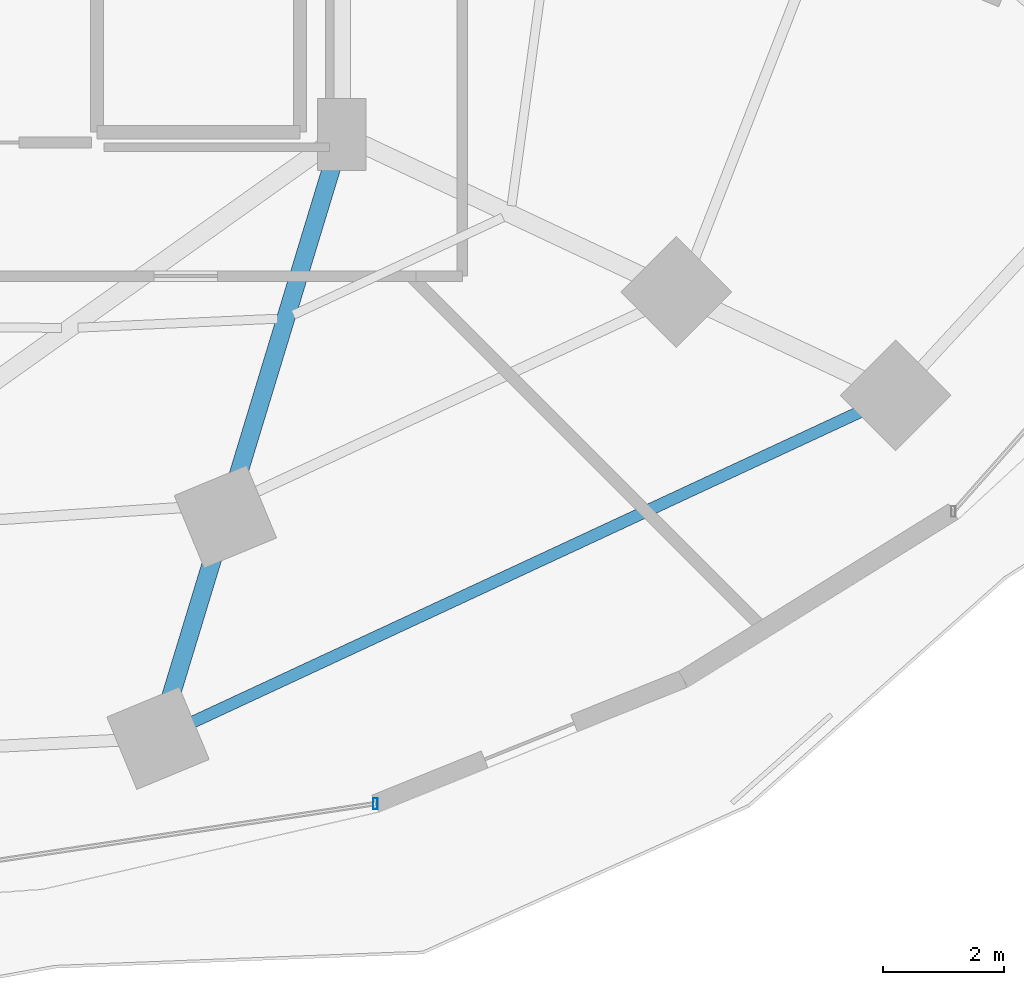
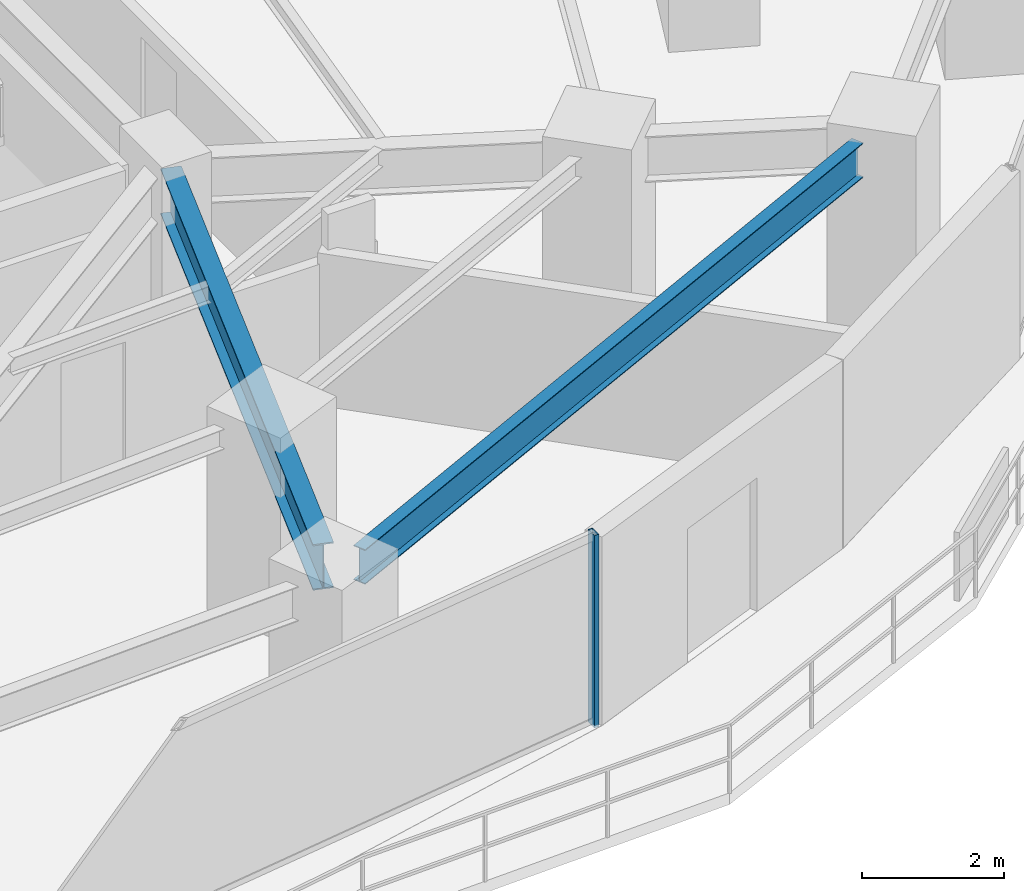
# One storey, part 12 of 34: 2 beams, 1 member, 1 element without a shape of its own.
"""IFC4 building model written with IfcOpenShell, lengths in metres."""

import ifcopenshell
import ifcopenshell.guid

model = None  # the IFC model being written
_history = None  # IfcOwnerHistory: only IFC2X3 demands one
_inside = {}  # id of a spatial element -> (the spatial element, [elements in it])
_under = {}  # id of a project, library or spatial element -> (it, [spatial elements below it])
_declared = {}  # id of a project -> (the project, [libraries it declares])
_typed = {}  # id of a type object -> (the type object, [elements of that type])
_made_of = {}  # id of a material, layer set ... -> (it, [elements and type objects made of it])


def new_model(schema):
    """Start an empty IFC model of exactly this schema.

    Asked for "IFC4X3", IfcOpenShell would pick the latest addendum, in which some entities
    have other attributes; the version numbers below select the first issue.
    IFC2X3 requires an IfcOwnerHistory on every rooted entity: one is made here for all.
    """
    global model, _history
    if schema == "IFC4X3":
        model = ifcopenshell.file(schema_version=(4, 3, 0, 0))
    else:
        model = ifcopenshell.file(schema=schema)
    _inside.clear()
    _under.clear()
    _declared.clear()
    _typed.clear()
    _made_of.clear()
    _history = None
    if model.schema == "IFC2X3":
        org = make("IfcOrganization", Name="unknown")
        user = make(
            "IfcPersonAndOrganization",
            ThePerson=make("IfcPerson", FamilyName="unknown"),
            TheOrganization=org,
        )
        app = make(
            "IfcApplication",
            ApplicationDeveloper=org,
            Version="unknown",
            ApplicationFullName="unknown",
            ApplicationIdentifier="unknown",
        )
        _history = make(
            "IfcOwnerHistory",
            OwningUser=user,
            OwningApplication=app,
            ChangeAction="ADDED",
            CreationDate=0,
        )
    return model


def make(cls, **values):
    """One entity of the class cls with the attributes given. An attribute that is None is left unset."""
    return model.create_entity(
        cls, **{name: value for name, value in values.items() if value is not None}
    )


def rooted(cls, **values):
    """An entity with a GlobalId (a new one), such as an element, a storey or a relation."""
    return make(cls, GlobalId=ifcopenshell.guid.new(), OwnerHistory=_history, **values)


def si_unit(unit_type, name, prefix=None):
    """IfcSIUnit, for example si_unit("LENGTHUNIT", "METRE", prefix="MILLI")."""
    return make("IfcSIUnit", UnitType=unit_type, Prefix=prefix, Name=name)


def assignment(units):
    """IfcUnitAssignment: the units of a project."""
    return None if units is None else make("IfcUnitAssignment", Units=units)


def point(xyz):
    """IfcCartesianPoint."""
    return None if xyz is None else make("IfcCartesianPoint", Coordinates=xyz)


def direction(xyz):
    """IfcDirection."""
    return None if xyz is None else make("IfcDirection", DirectionRatios=xyz)


def frame(location, z_axis=None, x_axis=None):
    """IfcAxis2Placement3D, a coordinate frame: its origin and axes. An axis left out is left unset."""
    return make(
        "IfcAxis2Placement3D",
        Location=point(location),
        Axis=direction(z_axis),
        RefDirection=direction(x_axis),
    )


def frame_2d(location, x_axis=None):
    """IfcAxis2Placement2D, a coordinate frame in the plane: its origin and x axis."""
    return make(
        "IfcAxis2Placement2D", Location=point(location), RefDirection=direction(x_axis)
    )


def origin():
    """The frame at (0, 0, 0) with its axes left unset."""
    return frame((0.0, 0.0, 0.0))


def origin_2d():
    """The frame at (0, 0) in the plane with its x axis left unset."""
    return frame_2d((0.0, 0.0))


def place(relative_to, where):
    """IfcLocalPlacement: puts the frame where relative to a parent placement (None: the world)."""
    return make(
        "IfcLocalPlacement", PlacementRelTo=relative_to, RelativePlacement=where
    )


def context(
    kind, dimensions, precision=None, world=None, true_north=None, identifier=None
):
    """IfcGeometricRepresentationContext, for example the 3D "Model" context."""
    return make(
        "IfcGeometricRepresentationContext",
        ContextIdentifier=identifier,
        ContextType=kind,
        CoordinateSpaceDimension=dimensions,
        Precision=precision,
        WorldCoordinateSystem=world,
        TrueNorth=true_north,
    )


def subcontext(parent, identifier, kind, view, scale=None):
    """IfcGeometricRepresentationSubContext, for example "Body" below "Model"."""
    return make(
        "IfcGeometricRepresentationSubContext",
        ContextIdentifier=identifier,
        ContextType=kind,
        ParentContext=parent,
        TargetScale=scale,
        TargetView=view,
    )


def project(units=None, contexts=None):
    """IfcProject with its units and contexts."""
    return rooted(
        "IfcProject",
        Name="project",
        RepresentationContexts=contexts,
        UnitsInContext=assignment(units),
    )


def spatial(cls, under=None, at=None, **own):
    """A site, building, storey or space (cls), placed at a placement, below another one or the project."""
    s = rooted(cls, ObjectPlacement=at, **own)
    if under is not None:
        _under.setdefault(under.id(), (under, []))[1].append(s)
    return s


def profile(cls, at=None, kind="AREA", **sizes):
    """A parametric profile (cls). Its sizes go by their IFC names, for example OverallWidth=200.0."""
    return make(cls, ProfileType=kind, Position=at, **sizes)


def hollow_rectangle(**sizes):
    """IfcRectangleHollowProfileDef."""
    return profile("IfcRectangleHollowProfileDef", **sizes)


def i_section(**sizes):
    """IfcIShapeProfileDef."""
    return profile("IfcIShapeProfileDef", **sizes)


def extrude(swept, where, along, depth):
    """IfcExtrudedAreaSolid: the profile swept, set in the frame where, extruded along a direction by depth."""
    return make(
        "IfcExtrudedAreaSolid",
        SweptArea=swept,
        Position=where,
        ExtrudedDirection=direction(along),
        Depth=depth,
    )


def shape(context_of_items, identifier, shape_type, items):
    """IfcShapeRepresentation: the items that make up one representation, for example the "Body"."""
    return make(
        "IfcShapeRepresentation",
        ContextOfItems=context_of_items,
        RepresentationIdentifier=identifier,
        RepresentationType=shape_type,
        Items=items,
    )


def material(Name=None, Category=None):
    """IfcMaterial."""
    return make("IfcMaterial", Name=Name, Category=Category)


def material_profile(
    of_material, cross_section, Name=None, Category=None, Priority=None
):
    """IfcMaterialProfile: a cross section and its material."""
    return make(
        "IfcMaterialProfile",
        Name=Name,
        Material=of_material,
        Profile=cross_section,
        Priority=Priority,
        Category=Category,
    )


def profile_set(profiles, Name=None, composite=None):
    """IfcMaterialProfileSet."""
    return make(
        "IfcMaterialProfileSet",
        Name=Name,
        MaterialProfiles=profiles,
        CompositeProfile=composite,
    )


def made_of(thing, what):
    """Note that an element or type object is made of a material, layer set ...; save() writes the relation."""
    if what is not None:
        _made_of.setdefault(what.id(), (what, []))[1].append(thing)
    return thing


def type_object(cls, material=None, **own):
    """A type object (cls), such as IfcWallType, which elements share."""
    return made_of(rooted(cls, **own), material)


def element(
    cls,
    number,
    at=None,
    inside=None,
    cuts=None,
    type_object=None,
    material=None,
    context=None,
    identifier="Body",
    shape_type=None,
    held_by="IfcProductDefinitionShape",
    body=None,
    shapes=None,
    **own,
):
    """One element of the class cls, such as IfcWall. Its Tag is "e" and its number.

    at: its placement. inside: the storey or other place that contains it. cuts: it is an
    opening in that element (IfcRelVoidsElement). A single representation is given by context,
    identifier, shape_type and body (its items); several are given by shapes. held_by: the class
    of the entity that holds the representations. save() writes the other relations.
    """
    e = rooted(cls, Tag="e%d" % number, ObjectPlacement=at, **own)
    if body is not None:
        shapes = [shape(context, identifier, shape_type, body)]
    if shapes is not None:
        e.Representation = make(held_by, Representations=shapes)
    if inside is not None:
        _inside.setdefault(inside.id(), (inside, []))[1].append(e)
    if cuts is not None:
        rooted(
            "IfcRelVoidsElement", RelatingBuildingElement=cuts, RelatedOpeningElement=e
        )
    if type_object is not None:
        _typed.setdefault(type_object.id(), (type_object, []))[1].append(e)
    return made_of(e, material)


def aggregate(whole, parts):
    """IfcRelAggregates: a whole, such as a stair, and the parts it consists of."""
    return rooted("IfcRelAggregates", RelatingObject=whole, RelatedObjects=parts)


def save(model, path):
    """Write the relations noted so far, then the file.

    IfcRelAggregates (storeys below a building ...), IfcRelContainedInSpatialStructure (elements
    in a storey), IfcRelDefinesByType, IfcRelAssociatesMaterial and IfcRelDeclares: one each for
    every whole, place, type object, material and project.
    """
    for whole, parts in _under.values():
        aggregate(whole, parts)
    for where, things in _inside.values():
        rooted(
            "IfcRelContainedInSpatialStructure",
            RelatedElements=things,
            RelatingStructure=where,
        )
    for kind, things in _typed.values():
        rooted("IfcRelDefinesByType", RelatedObjects=things, RelatingType=kind)
    for what, things in _made_of.values():
        rooted("IfcRelAssociatesMaterial", RelatedObjects=things, RelatingMaterial=what)
    for by, libraries in _declared.values():
        rooted("IfcRelDeclares", RelatingContext=by, RelatedDefinitions=libraries)
    model.write(path)


model = new_model("IFC4")

# Units and contexts
model_context = context("Model", 3, precision=1e-05, world=origin(), true_north=direction((0.0, 1.0)))
body_context = subcontext(model_context, "Body", "Model", "MODEL_VIEW")
ifc_project = project(units=[si_unit("LENGTHUNIT", "METRE"), si_unit("AREAUNIT", "SQUARE_METRE"), si_unit("VOLUMEUNIT", "CUBIC_METRE"), si_unit("PLANEANGLEUNIT", "RADIAN"), si_unit("MASSUNIT", "GRAM", prefix="KILO")], contexts=[model_context])

# Site, building, storey
site_placement = place(None, origin())
site = spatial("IfcSite", under=ifc_project, at=site_placement, CompositionType="ELEMENT")
building_placement = place(site_placement, origin())
building = spatial("IfcBuilding", under=site, at=building_placement, Name="Vorneva Point Tower", CompositionType="ELEMENT")
storey_placement = place(building_placement, frame((0.0, 0.0, 27.5)))
storey = spatial("IfcBuildingStorey", under=building, at=storey_placement, Name="L06", CompositionType="ELEMENT", Elevation=27.5)

# Beams
ifc_material_1 = material(Name="Steel S355", Category="steel")
ifc_material_profile_1 = material_profile(ifc_material_1, i_section(OverallWidth=0.300048828125, OverallDepth=0.7880859375, WebThickness=0.014404296875, FlangeThickness=0.02197265625, at=origin_2d()), Name="80Sh1")
ifc_profile_set_1 = profile_set([ifc_material_profile_1], Name="Steel S355")
beam_type_1 = type_object("IfcBeamType", Name="BM-GRD-80Sh1", PredefinedType="USERDEFINED", material=ifc_profile_set_1)
beam_1_placement = place(storey_placement, frame((45.888916015625, 7.045654296875, 2.845947265625), z_axis=(0.29104183924, 0.956710325967, 0.0), x_axis=(-0.956710325967, 0.29104183924, 0.0)))
element("IfcBeam", 1, at=beam_1_placement, inside=storey, type_object=beam_type_1, Name="L06 Radial Primary Girder 14", ObjectType="GIRDER", PredefinedType="USERDEFINED", context=body_context, shape_type="SweptSolid", body=[
    extrude(i_section(OverallWidth=0.300048828125, OverallDepth=0.7880859375, WebThickness=0.014404296875, FlangeThickness=0.02197265625, at=origin_2d()), origin(), (0.0, 0.0, 1.0), 9.489990234375),
])
ifc_material_profile_2 = material_profile(ifc_material_1, i_section(OverallWidth=0.198974609375, OverallDepth=0.595947265625, WebThickness=0.010009765625, FlangeThickness=0.014892578125, at=origin_2d()), Name="60B1")
ifc_profile_set_2 = profile_set([ifc_material_profile_2], Name="Steel S355")
beam_type_2 = type_object("IfcBeamType", Name="BM-SPN-60B1", PredefinedType="SPANDREL", material=ifc_profile_set_2)
beam_2_placement = place(storey_placement, frame((46.27880859375, 6.702880859375, 2.94189453125), z_axis=(0.906776698196, 0.421611218551, 0.0), x_axis=(-0.421611218551, 0.906776698196, 0.0)))
element("IfcBeam", 2, at=beam_2_placement, inside=storey, type_object=beam_type_2, Name="L06 Perimeter Spandrel Ring Beam 14", PredefinedType="SPANDREL", context=body_context, shape_type="SweptSolid", body=[
    extrude(i_section(OverallWidth=0.198974609375, OverallDepth=0.595947265625, WebThickness=0.010009765625, FlangeThickness=0.014892578125, at=origin_2d()), origin(), (0.0, 0.0, 1.0), 12.223388671875),
])

# Curtain wall, member
ifc_material_2 = material(Name="Pale anodised aluminium", Category="aluminium")
curtain_wall_type = type_object("IfcCurtainWallType", Name="CW-HTL-SYS", PredefinedType="NOTDEFINED", material=ifc_material_2)
curtain_wall_placement = place(storey_placement, origin())
curtain_wall = element("IfcCurtainWall", 3, at=curtain_wall_placement, inside=storey, type_object=curtain_wall_type, Name="L06 Unitised Curtain Wall CW-L06-R04", PredefinedType="NOTDEFINED")
ifc_material_profile_3 = material_profile(ifc_material_2, hollow_rectangle(XDim=0.074951171875, YDim=0.179931640625, WallThickness=0.00390625, at=origin_2d()), Name="AL-MUL 180x75x4")
ifc_profile_set_3 = profile_set([ifc_material_profile_3], Name="Pale anodised aluminium")
member_type = type_object("IfcMemberType", Name="CW-MUL-180", PredefinedType="MULLION", material=ifc_profile_set_3)
member_placement = place(storey_placement, frame((49.308349609375, 5.351318359375, -0.0400390625), z_axis=(0.0, 0.0, 1.0), x_axis=(1.0, 0.0, 0.0)))
member = element("IfcMember", 4, at=member_placement, type_object=member_type, Name="CW-L06-R04 Mullion 04", PredefinedType="MULLION", context=body_context, shape_type="SweptSolid", body=[
    extrude(hollow_rectangle(XDim=0.074951171875, YDim=0.179931640625, WallThickness=0.00390625, at=origin_2d()), origin(), (0.0, 0.0, 1.0), 3.31005859375),
])
aggregate(curtain_wall, [member])

save(model, "model.ifc")
